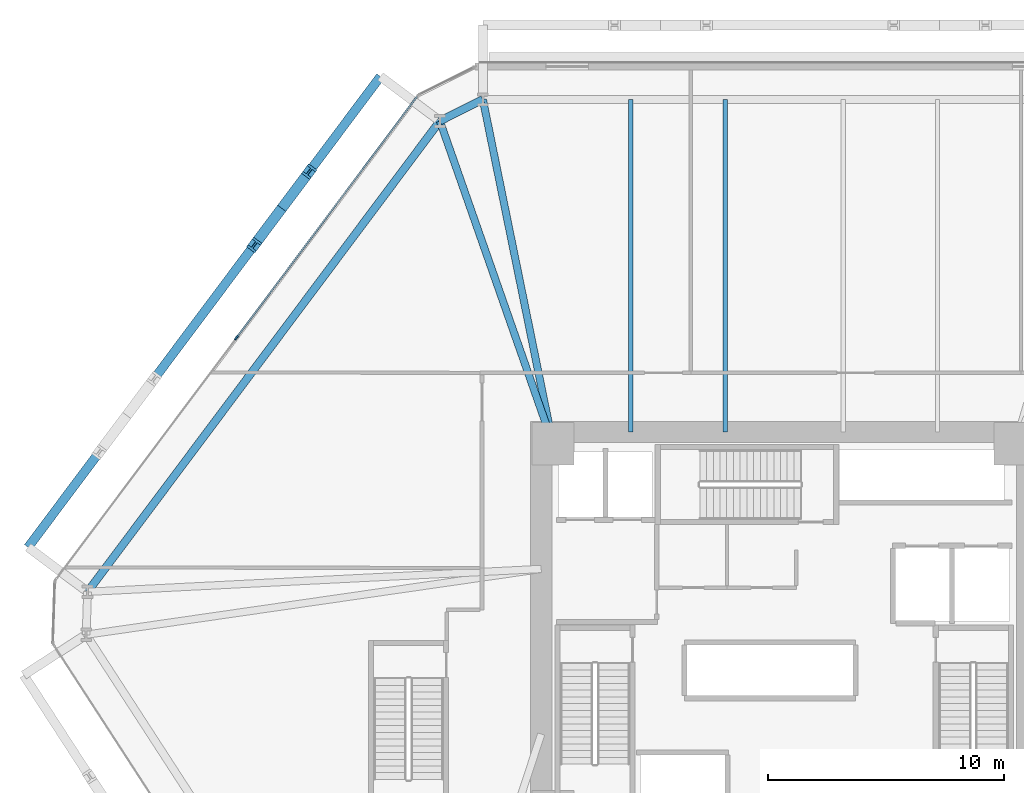
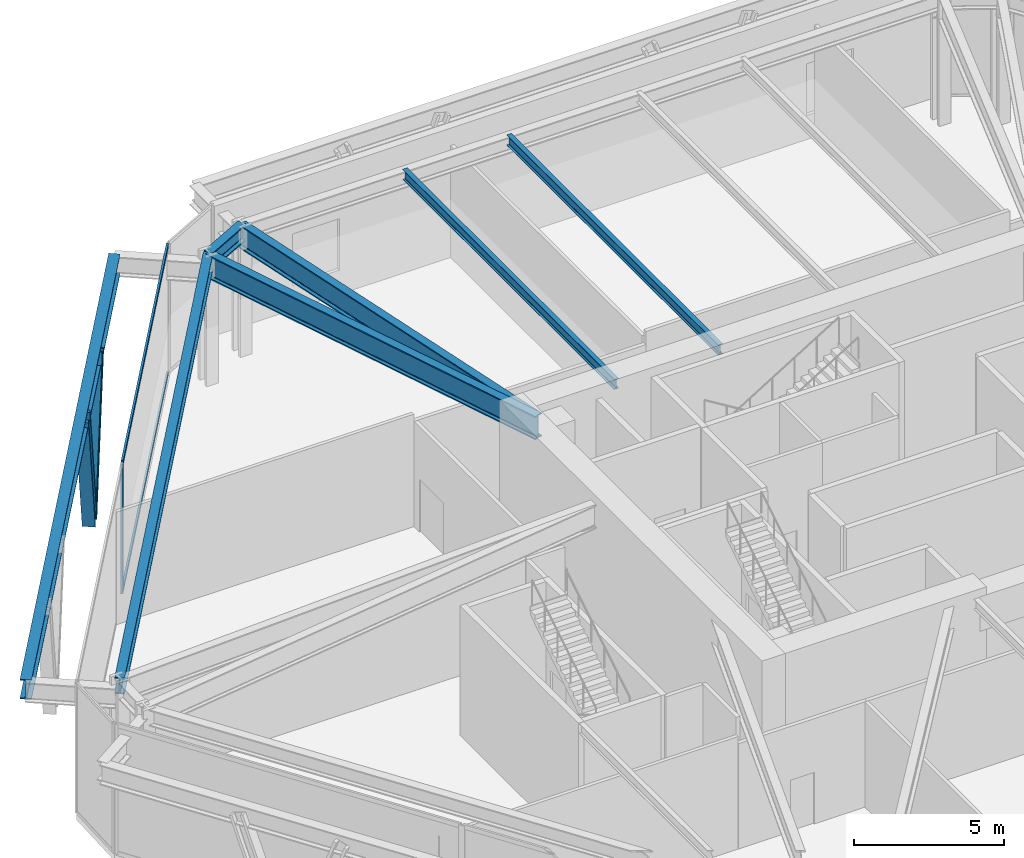
# One storey, part 8 of 19: 7 beams, 5 members, 1 element without a shape of its own.
"""IFC4 building model written with IfcOpenShell, lengths in metres."""

from ifc_helpers import new_model, si_unit, direction, frame, origin, origin_2d, place, context, subcontext, project, spatial, rectangle, i_section, extrude, source, transform, mapped, material, layer, layer_set, material_profile, profile_set, type_object, type_shapes, element, aggregate, save


model = new_model("IFC4")

# Units and contexts
model_context = context("Model", 3, precision=1e-05, world=origin(), true_north=direction((0.0, 1.0)))
body_context = subcontext(model_context, "Body", "Model", "MODEL_VIEW")
ifc_project = project(units=[si_unit("LENGTHUNIT", "METRE"), si_unit("AREAUNIT", "SQUARE_METRE"), si_unit("VOLUMEUNIT", "CUBIC_METRE"), si_unit("PLANEANGLEUNIT", "RADIAN"), si_unit("MASSUNIT", "GRAM", prefix="KILO")], contexts=[model_context])

# Site, building, storey
site_placement = place(None, origin())
site = spatial("IfcSite", under=ifc_project, at=site_placement, CompositionType="ELEMENT")
building_placement = place(site_placement, origin())
building = spatial("IfcBuilding", under=site, at=building_placement, Name="Durnholm Broadcast Tower", CompositionType="ELEMENT")
storey_placement = place(building_placement, frame((0.0, 0.0, 15.60009765625)))
storey = spatial("IfcBuildingStorey", under=building, at=storey_placement, Name="L03", CompositionType="ELEMENT", Elevation=15.60009765625)

# Beams
ifc_material_1 = material(Name="Steel ASTM A992 Grade 50", Category="steel")
ifc_material_profile_1 = material_profile(ifc_material_1, i_section(OverallWidth=0.3330078125, OverallDepth=0.660888671875, WebThickness=0.0244140625, FlangeThickness=0.0439453125, FilletRadius=0.02783203125, at=origin_2d()), Name="W24X229")
ifc_profile_set_1 = profile_set([ifc_material_profile_1], Name="Steel ASTM A992 Grade 50")
beam_type_1 = type_object("IfcBeamType", Name="STL-SP-W24X229", PredefinedType="SPANDREL", material=ifc_profile_set_1)
shared_shape_1 = source(origin(), body_context, "Body", "SweptSolid", [
    extrude(i_section(OverallWidth=0.3330078125, OverallDepth=0.660888671875, WebThickness=0.0244140625, FlangeThickness=0.0439453125, FilletRadius=0.02783203125, at=origin_2d()), origin(), (0.0, 0.0, 1.0), 24.926513671875),
])
beam_1_placement = place(storey_placement, frame((-29.529296875, 1.530517578125, 4.934326171875), z_axis=(0.599153427318, 0.800634230178, 0.0), x_axis=(-0.800634230178, 0.599153427318, 0.0)))
element("IfcBeam", 1, at=beam_1_placement, inside=storey, type_object=beam_type_1, Name="L03 perimeter spandrel girder 03", PredefinedType="SPANDREL", context=body_context, shape_type="MappedRepresentation", body=[
    mapped(shared_shape_1, transform((0.0, 0.0, 0.0), x_axis=(1.0, 0.0, 0.0), y_axis=(0.0, 1.0, 0.0), z_axis=(0.0, 0.0, 1.0), scale=1.0)),
])
shared_shape_2 = source(origin(), body_context, "Body", "SweptSolid", [
    extrude(i_section(OverallWidth=0.3330078125, OverallDepth=0.660888671875, WebThickness=0.0244140625, FlangeThickness=0.0439453125, FilletRadius=0.02783203125, at=origin_2d()), origin(), (0.0, 0.0, 1.0), 2.0380859375),
])
type_shapes(beam_type_1, [shared_shape_1, shared_shape_2])
beam_2_placement = place(storey_placement, frame((-14.594482421875, 21.487548828125, 4.934326171875), z_axis=(0.894211470078, 0.447644777452, 0.0), x_axis=(-0.447644777452, 0.894211470078, 0.0)))
element("IfcBeam", 2, at=beam_2_placement, inside=storey, type_object=beam_type_1, Name="L03 perimeter spandrel girder 04", PredefinedType="SPANDREL", context=body_context, shape_type="MappedRepresentation", body=[
    mapped(shared_shape_2, transform((0.0, 0.0, 0.0), x_axis=(1.0, 0.0, 0.0), y_axis=(0.0, 1.0, 0.0), z_axis=(0.0, 0.0, 1.0), scale=1.0)),
])
ifc_material_profile_2 = material_profile(ifc_material_1, i_section(OverallWidth=0.180908203125, OverallDepth=0.417236328125, WebThickness=0.010986328125, FlangeThickness=0.018310546875, FilletRadius=0.01904296875, at=origin_2d()), Name="W16X57")
ifc_profile_set_2 = profile_set([ifc_material_profile_2], Name="Steel ASTM A992 Grade 50")
beam_type_2 = type_object("IfcBeamType", Name="STL-BJ-W16X57", PredefinedType="JOIST", material=ifc_profile_set_2)
shared_shape_3 = source(origin(), body_context, "Body", "SweptSolid", [
    extrude(i_section(OverallWidth=0.180908203125, OverallDepth=0.417236328125, WebThickness=0.010986328125, FlangeThickness=0.018310546875, FilletRadius=0.01904296875, at=origin_2d()), origin(), (0.0, 0.0, 1.0), 14.099853515625),
])
type_shapes(beam_type_2, [shared_shape_3])
for number, where, z_axis, x_axis, name in (
    (3, (-6.5, 8.300048828125, 5.05615234375), (0.0, 1.0, 0.0), (-1.0, 0.0, 0.0), "L03 secondary floor joist 4.2"),
    (4, (-2.5, 8.300048828125, 5.05615234375), (0.0, 1.0, 0.0), (-1.0, 0.0, 0.0), "L03 secondary floor joist 5.2"),
):
    element("IfcBeam", number, at=place(storey_placement, frame(where, z_axis=z_axis, x_axis=x_axis)), inside=storey, type_object=beam_type_2, Name=name, PredefinedType="JOIST", context=body_context, shape_type="MappedRepresentation", body=[
        mapped(shared_shape_3, transform((0.0, 0.0, 0.0), x_axis=(1.0, 0.0, 0.0), y_axis=(0.0, 1.0, 0.0), z_axis=(0.0, 0.0, 1.0), scale=1.0)),
    ])
ifc_material_profile_3 = material_profile(ifc_material_1, i_section(OverallWidth=0.385009765625, OverallDepth=0.802978515625, WebThickness=0.023681640625, FlangeThickness=0.0419921875, FilletRadius=0.032958984375, at=origin_2d()), Name="W30X261")
ifc_profile_set_3 = profile_set([ifc_material_profile_3], Name="Steel ASTM A992 Grade 50")
beam_type_3 = type_object("IfcBeamType", Name="BM-EXO-TIE", PredefinedType="USERDEFINED", material=ifc_profile_set_3)
shared_shape_4 = source(origin(), body_context, "Body", "SweptSolid", [
    extrude(i_section(OverallWidth=0.385009765625, OverallDepth=0.802978515625, WebThickness=0.023681640625, FlangeThickness=0.0419921875, FilletRadius=0.032958984375, at=origin_2d()), origin(), (0.0, 0.0, 1.0), 24.9267578125),
])
type_shapes(beam_type_3, [shared_shape_4])
beam_3_placement = place(storey_placement, frame((-17.116455078125, 23.375, 4.5283203125), z_axis=(-0.599159705628, -0.800629531776, 0.0), x_axis=(0.800629531776, -0.599159705628, 0.0)))
element("IfcBeam", 5, at=beam_3_placement, inside=storey, type_object=beam_type_3, Name="L03 exoskeleton collector spandrel F5", PredefinedType="SPANDREL", context=body_context, shape_type="MappedRepresentation", body=[
    mapped(shared_shape_4, transform((0.0, 0.0, 0.0), x_axis=(1.0, 0.0, 0.0), y_axis=(0.0, 1.0, 0.0), z_axis=(0.0, 0.0, 1.0), scale=1.0)),
])
ifc_material_profile_4 = material_profile(ifc_material_1, i_section(OverallWidth=0.310302734375, OverallDepth=0.950439453125, WebThickness=0.0244140625, FlangeThickness=0.0439453125, FilletRadius=0.0380859375, at=origin_2d()), Name="W36X256")
ifc_profile_set_4 = profile_set([ifc_material_profile_4], Name="Steel ASTM A992 Grade 50")
beam_type_4 = type_object("IfcBeamType", Name="STL-GR-W36X256", PredefinedType="USERDEFINED", material=ifc_profile_set_4)
shared_shape_5 = source(origin(), body_context, "Body", "SweptSolid", [
    extrude(i_section(OverallWidth=0.310302734375, OverallDepth=0.950439453125, WebThickness=0.0244140625, FlangeThickness=0.0439453125, FilletRadius=0.0380859375, at=origin_2d()), origin(), (0.0, 0.0, 1.0), 14.5029296875),
])
beam_4_placement = place(storey_placement, frame((-9.800048828125, 7.800048828125, 4.78955078125), z_axis=(-0.330584364716, 0.943776444824, 0.0), x_axis=(-0.943776444824, -0.330584364716, 0.0)))
element("IfcBeam", 6, at=beam_4_placement, inside=storey, type_object=beam_type_4, Name="L03 radial primary floor girder 04", ObjectType="GIRDER", PredefinedType="USERDEFINED", context=body_context, shape_type="MappedRepresentation", body=[
    mapped(shared_shape_5, transform((0.0, 0.0, 0.0), x_axis=(1.0, 0.0, 0.0), y_axis=(0.0, 1.0, 0.0), z_axis=(0.0, 0.0, 1.0), scale=1.0)),
])
shared_shape_6 = source(origin(), body_context, "Body", "SweptSolid", [
    extrude(i_section(OverallWidth=0.310302734375, OverallDepth=0.950439453125, WebThickness=0.0244140625, FlangeThickness=0.0439453125, FilletRadius=0.0380859375, at=origin_2d()), origin(), (0.0, 0.0, 1.0), 14.899169921875),
])
type_shapes(beam_type_4, [shared_shape_5, shared_shape_6])
beam_5_placement = place(storey_placement, frame((-9.800048828125, 7.800048828125, 4.78955078125), z_axis=(-0.19946783416, 0.979904374485, 0.0), x_axis=(-0.979904374485, -0.19946783416, 0.0)))
element("IfcBeam", 7, at=beam_5_placement, inside=storey, type_object=beam_type_4, Name="L03 radial primary floor girder 05", ObjectType="GIRDER", PredefinedType="USERDEFINED", context=body_context, shape_type="MappedRepresentation", body=[
    mapped(shared_shape_6, transform((0.0, 0.0, 0.0), x_axis=(1.0, 0.0, 0.0), y_axis=(0.0, 1.0, 0.0), z_axis=(0.0, 0.0, 1.0), scale=1.0)),
])

# Members
ifc_material_2 = material(Name="Steel ASTM A913 Grade 65", Category="steel")
ifc_material_profile_5 = material_profile(ifc_material_2, i_section(OverallWidth=0.44189453125, OverallDepth=0.531494140625, WebThickness=0.06591796875, FlangeThickness=0.105712890625, FilletRadius=0.030517578125, at=origin_2d()), Name="W14X605")
ifc_profile_set_5 = profile_set([ifc_material_profile_5], Name="Steel ASTM A913 Grade 65")
member_type_1 = type_object("IfcMemberType", Name="STL-DG-W14X605", PredefinedType="BRACE", material=ifc_profile_set_5)
shared_shape_7 = source(origin(), body_context, "Body", "SweptSolid", [
    extrude(i_section(OverallWidth=0.44189453125, OverallDepth=0.531494140625, WebThickness=0.06591796875, FlangeThickness=0.105712890625, FilletRadius=0.030517578125, at=origin_2d()), origin(), (0.0, 0.0, 1.0), 5.927734375),
])
type_shapes(member_type_1, [shared_shape_7])
for number, where, z_axis, x_axis, name in (
    (8, (-21.298095703125, 17.787109375, -1.071533203125), (0.196500737073, 0.262563864775, 0.94469448884), (-0.800617464095, 0.599175830776, 0.0), "L03 stand-off diagrid brace F5.D1.1"),
    (9, (-21.298095703125, 17.787109375, -1.071533203125), (-0.196538207265, -0.262600085818, 0.94467662616), (0.800602308277, -0.599196081414, 0.0), "L03 stand-off diagrid brace F5.D1.2"),
):
    element("IfcMember", number, at=place(storey_placement, frame(where, z_axis=z_axis, x_axis=x_axis)), inside=storey, type_object=member_type_1, Name=name, PredefinedType="BRACE", context=body_context, shape_type="MappedRepresentation", body=[
        mapped(shared_shape_7, transform((0.0, 0.0, 0.0), x_axis=(1.0, 0.0, 0.0), y_axis=(0.0, 1.0, 0.0), z_axis=(0.0, 0.0, 1.0), scale=1.0)),
    ])

# Curtain wall, members
ifc_material_3 = material(Name="Aluminium and Solar Control IGU", Category="aluminium")
ifc_layer = layer(ifc_material_3, 0.219970703125)
ifc_layer_set = layer_set([ifc_layer], Name="Aluminium and Solar Control IGU")
curtain_wall_type = type_object("IfcCurtainWallType", Name="CW-SYS-2", PredefinedType="NOTDEFINED", material=ifc_layer_set)
curtain_wall_placement = place(storey_placement, origin())
curtain_wall = element("IfcCurtainWall", 10, at=curtain_wall_placement, inside=storey, type_object=curtain_wall_type, Name="L03 curtain wall CW-STUDIO CW-L03-F02", PredefinedType="NOTDEFINED")
ifc_material_4 = material(Name="Aluminium 6063-T6", Category="aluminium")
ifc_material_profile_6 = material_profile(ifc_material_4, rectangle(XDim=0.074951171875, YDim=0.219970703125, at=origin_2d()), Name="CWM75X220")
ifc_profile_set_6 = profile_set([ifc_material_profile_6], Name="Aluminium 6063-T6")
member_type_2 = type_object("IfcMemberType", Name="CW-SYS-2-MUL", PredefinedType="MULLION", material=ifc_profile_set_6)
shared_shape_8 = source(origin(), body_context, "Body", "SweptSolid", [
    extrude(rectangle(XDim=0.074951171875, YDim=0.219970703125, at=origin_2d()), origin(), (0.0, 0.0, 1.0), 5.27978515625),
])
type_shapes(member_type_2, [shared_shape_8])
member_1_placement = place(storey_placement, frame((-23.215576171875, 12.30419921875, 0.0), z_axis=(0.0, 0.0, 1.0), x_axis=(-0.800631836327, 0.59915662615, 0.0)))
member_1 = element("IfcMember", 11, at=member_1_placement, type_object=member_type_2, Name="CW-STUDIO mullion 2", PredefinedType="MULLION", context=body_context, shape_type="MappedRepresentation", body=[
    mapped(shared_shape_8, transform((0.0, 0.0, 0.0), x_axis=(1.0, 0.0, 0.0), y_axis=(0.0, 1.0, 0.0), z_axis=(0.0, 0.0, 1.0), scale=1.0)),
])
ifc_material_profile_7 = material_profile(ifc_material_4, rectangle(XDim=0.074951171875, YDim=0.179931640625, at=origin_2d()), Name="CWT75X180")
ifc_profile_set_7 = profile_set([ifc_material_profile_7], Name="Aluminium 6063-T6")
member_type_3 = type_object("IfcMemberType", Name="CW-SYS-2-TRN", PredefinedType="USERDEFINED", material=ifc_profile_set_7)
shared_shape_9 = source(origin(), body_context, "Body", "SweptSolid", [
    extrude(rectangle(XDim=0.074951171875, YDim=0.179931640625, at=origin_2d()), origin(), (0.0, 0.0, 1.0), 12.736328125),
])
type_shapes(member_type_3, [shared_shape_9])
member_2_placement = place(storey_placement, frame((-23.193115234375, 12.334228515625, 0.037353515625), z_axis=(0.59916237373, 0.800627535066, 0.0), x_axis=(-0.800627535066, 0.59916237373, 0.0)))
member_2 = element("IfcMember", 12, at=member_2_placement, type_object=member_type_3, Name="CW-STUDIO transom 2.1", ObjectType="TRANSOM", PredefinedType="USERDEFINED", context=body_context, shape_type="MappedRepresentation", body=[
    mapped(shared_shape_9, transform((0.0, 0.0, 0.0), x_axis=(1.0, 0.0, 0.0), y_axis=(0.0, 1.0, 0.0), z_axis=(0.0, 0.0, 1.0), scale=1.0)),
])
member_3_placement = place(storey_placement, frame((-23.193115234375, 12.334228515625, 5.242431640625), z_axis=(0.59916237373, 0.800627535066, 0.0), x_axis=(-0.800627535066, 0.59916237373, 0.0)))
member_3 = element("IfcMember", 13, at=member_3_placement, type_object=member_type_3, Name="CW-STUDIO transom 2.2", ObjectType="TRANSOM", PredefinedType="USERDEFINED", context=body_context, shape_type="MappedRepresentation", body=[
    mapped(shared_shape_9, transform((0.0, 0.0, 0.0), x_axis=(1.0, 0.0, 0.0), y_axis=(0.0, 1.0, 0.0), z_axis=(0.0, 0.0, 1.0), scale=1.0)),
])
aggregate(curtain_wall, [member_1, member_2, member_3])

save(model, "model.ifc")
